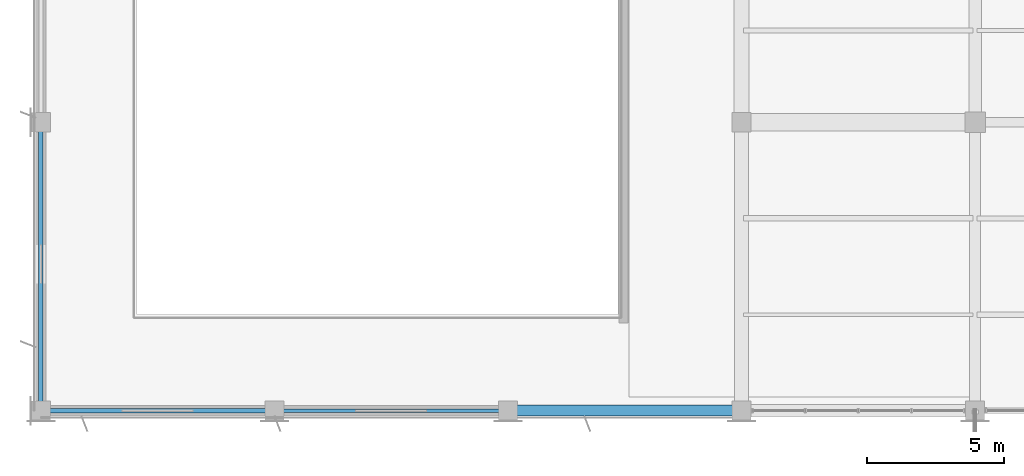
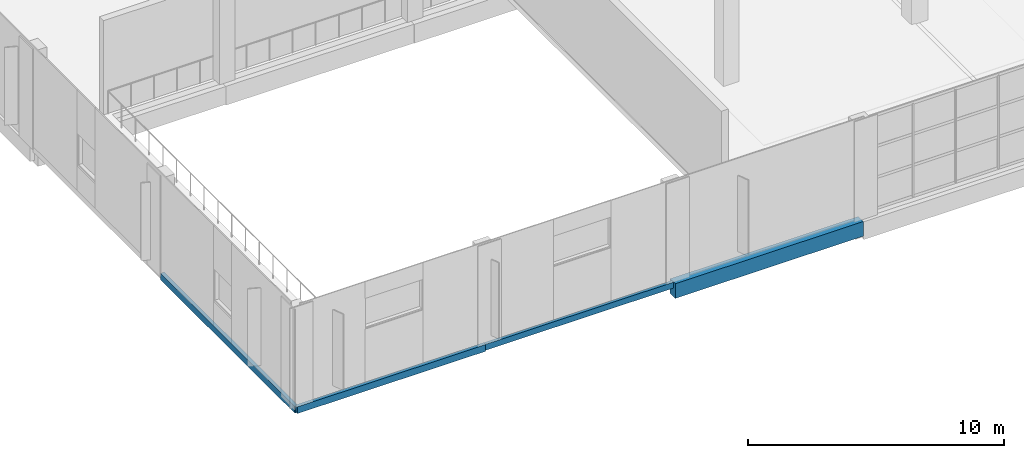
# One storey, part 10 of 112: 4 beams.
"""IFC4 building model written with IfcOpenShell, lengths in metres."""

from ifc_helpers import new_model, si_unit, direction, frame, origin, origin_2d, place, context, subcontext, project, spatial, rectangle, hollow_rectangle, extrude, material, material_profile, profile_set, type_object, element, save


model = new_model("IFC4")

# Units and contexts
model_context = context("Model", 3, precision=1e-05, world=origin(), true_north=direction((0.0, 1.0)))
body_context = subcontext(model_context, "Body", "Model", "MODEL_VIEW")
ifc_project = project(units=[si_unit("LENGTHUNIT", "METRE"), si_unit("AREAUNIT", "SQUARE_METRE"), si_unit("VOLUMEUNIT", "CUBIC_METRE"), si_unit("PLANEANGLEUNIT", "RADIAN"), si_unit("MASSUNIT", "GRAM", prefix="KILO")], contexts=[model_context])

# Site, building, storey
site_placement = place(None, origin())
site = spatial("IfcSite", under=ifc_project, at=site_placement, CompositionType="ELEMENT")
building_placement = place(site_placement, origin())
building = spatial("IfcBuilding", under=site, at=building_placement, Name="Solvikara Media Centre", CompositionType="ELEMENT")
storey_placement = place(building_placement, frame((0.0, 0.0, 5.39990234375)))
storey = spatial("IfcBuildingStorey", under=building, at=storey_placement, Name="L01", CompositionType="ELEMENT", Elevation=5.39990234375)

# Beams
ifc_material_1 = material(Name="Concrete fc' 35 MPa (C35/45)", Category="concrete")
ifc_material_profile_1 = material_profile(ifc_material_1, rectangle(XDim=0.39990234375, YDim=0.699951171875, at=origin_2d()), Name="RC 400x700")
ifc_profile_set_1 = profile_set([ifc_material_profile_1], Name="Concrete fc' 35 MPa (C35/45)")
beam_type_1 = type_object("IfcBeamType", Name="BM-13", PredefinedType="SPANDREL", material=ifc_profile_set_1)
beam_1_placement = place(storey_placement, frame((17.0, 0.0, -0.60986328125), z_axis=(1.0, 0.0, 0.0), x_axis=(0.0, 1.0, 0.0)))
element("IfcBeam", 1, at=beam_1_placement, inside=storey, type_object=beam_type_1, Name="B-L01-X0441", PredefinedType="SPANDREL", context=body_context, shape_type="SweptSolid", body=[
    extrude(rectangle(XDim=0.39990234375, YDim=0.699951171875, at=origin_2d()), origin(), (0.0, 0.0, 1.0), 8.5),
])
ifc_material_2 = material(Name="Steel S355JR", Category="steel")
ifc_material_profile_2 = material_profile(ifc_material_2, hollow_rectangle(XDim=0.159912109375, YDim=0.320068359375, WallThickness=0.010009765625, at=origin_2d()), Name="RHS 320x160x10")
ifc_profile_set_2 = profile_set([ifc_material_profile_2], Name="Steel S355JR")
beam_type_2 = type_object("IfcBeamType", Name="BM-45", PredefinedType="SPANDREL", material=ifc_profile_set_2)
beam_2_placement = place(storey_placement, frame((0.0, 0.0, -0.421875), z_axis=(1.0, 0.0, 0.0), x_axis=(0.0, 1.0, 0.0)))
element("IfcBeam", 2, at=beam_2_placement, inside=storey, type_object=beam_type_2, Name="B-L01-X0439", PredefinedType="SPANDREL", context=body_context, shape_type="SweptSolid", body=[
    extrude(hollow_rectangle(XDim=0.159912109375, YDim=0.320068359375, WallThickness=0.010009765625, at=origin_2d()), origin(), (0.0, 0.0, 1.0), 8.5),
])
beam_3_placement = place(storey_placement, frame((0.0, 0.0, -0.421875), z_axis=(0.0, 1.0, 0.0), x_axis=(-1.0, 0.0, 0.0)))
element("IfcBeam", 3, at=beam_3_placement, inside=storey, type_object=beam_type_2, Name="B-L01-Y0535", PredefinedType="SPANDREL", context=body_context, shape_type="SweptSolid", body=[
    extrude(hollow_rectangle(XDim=0.159912109375, YDim=0.320068359375, WallThickness=0.010009765625, at=origin_2d()), origin(), (0.0, 0.0, 1.0), 10.5),
])
ifc_material_profile_3 = material_profile(ifc_material_2, hollow_rectangle(XDim=0.139892578125, YDim=0.280029296875, WallThickness=0.008056640625, at=origin_2d()), Name="RHS 280x140x8")
ifc_profile_set_3 = profile_set([ifc_material_profile_3], Name="Steel S355JR")
beam_type_3 = type_object("IfcBeamType", Name="BM-46", PredefinedType="SPANDREL", material=ifc_profile_set_3)
beam_4_placement = place(storey_placement, frame((8.5, 0.0, -0.40185546875), z_axis=(1.0, 0.0, 0.0), x_axis=(0.0, 1.0, 0.0)))
element("IfcBeam", 4, at=beam_4_placement, inside=storey, type_object=beam_type_3, Name="B-L01-X0440", PredefinedType="SPANDREL", context=body_context, shape_type="SweptSolid", body=[
    extrude(hollow_rectangle(XDim=0.139892578125, YDim=0.280029296875, WallThickness=0.008056640625, at=origin_2d()), origin(), (0.0, 0.0, 1.0), 8.5),
])

save(model, "model.ifc")
